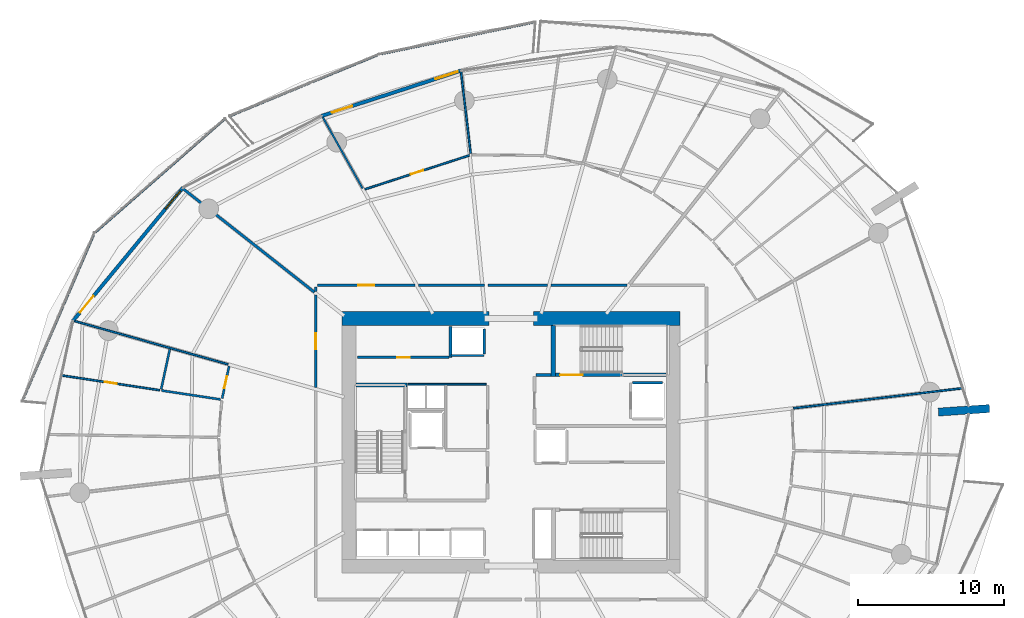
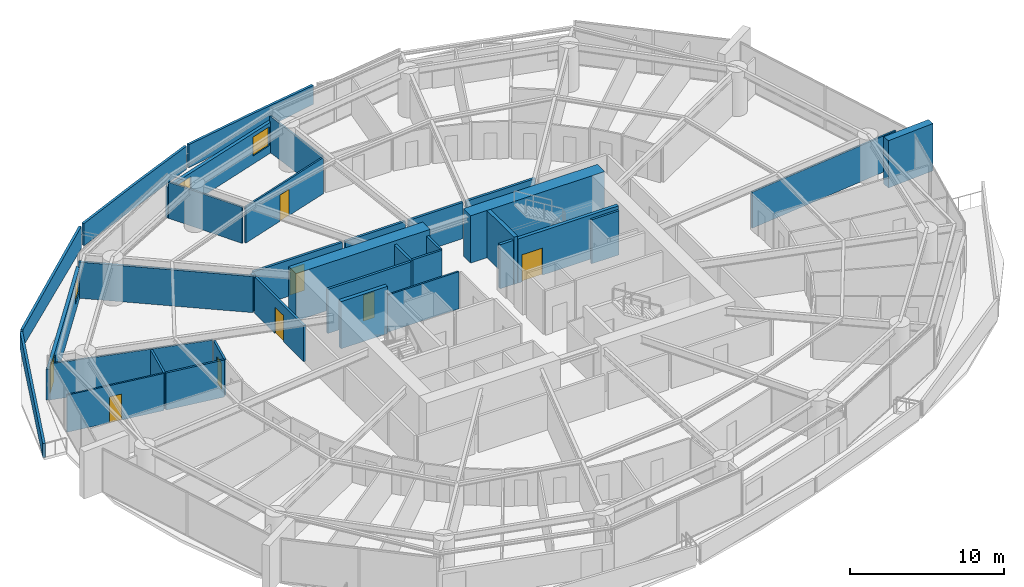
# One storey, part 21 of 30: 35 walls, 9 doors, 2 windows, 11 openings.
"""IFC4 building model written with IfcOpenShell, lengths in metres."""

from ifc_helpers import new_model, si_unit, direction, frame, frame_2d, origin, place, context, subcontext, project, spatial, polyline, rectangle, outline, extrude, material, layer, layer_set, type_object, element, fill, save


model = new_model("IFC4")

# Units and contexts
model_context = context("Model", 3, precision=1e-05, world=origin(), true_north=direction((0.0, 1.0)))
body_context = subcontext(model_context, "Body", "Model", "MODEL_VIEW")
ifc_project = project(units=[si_unit("LENGTHUNIT", "METRE"), si_unit("AREAUNIT", "SQUARE_METRE"), si_unit("VOLUMEUNIT", "CUBIC_METRE"), si_unit("PLANEANGLEUNIT", "RADIAN"), si_unit("MASSUNIT", "GRAM", prefix="KILO")], contexts=[model_context])

# Site, building, storey
site_placement = place(None, origin())
site = spatial("IfcSite", under=ifc_project, at=site_placement, CompositionType="ELEMENT")
building_placement = place(site_placement, origin())
building = spatial("IfcBuilding", under=site, at=building_placement, Name="Kazma Halo Residences", CompositionType="ELEMENT")
storey_placement = place(building_placement, frame((0.0, 0.0, 56.39990234375)))
storey = spatial("IfcBuildingStorey", under=building, at=storey_placement, Name="L13", CompositionType="ELEMENT", Elevation=56.39990234375)

# Walls
ifc_material_1 = material(Name="White Concrete C50/60 Balustrade", Category="concrete")
ifc_layer_1 = layer(ifc_material_1, 0.179931640625)
ifc_layer_set_1 = layer_set([ifc_layer_1], Name="White Concrete C50/60 Balustrade")
wall_type_1 = type_object("IfcWallType", Name="WL-BAL-WAVE-180", PredefinedType="PARAPET", material=ifc_layer_set_1)
wall_1_placement = place(storey_placement, frame((50.0888671875, 70.78955078125, 0.0), z_axis=(0.0, 0.0, 1.0), x_axis=(-0.979112078275, -0.203321268379, 0.0)))
element("IfcWall", 1, at=wall_1_placement, inside=storey, type_object=wall_type_1, Name="L13 white wave balustrade wall NNW.1", PredefinedType="PARAPET", context=body_context, shape_type="SweptSolid", body=[
    extrude(outline(polyline([(0.0, 0.0), (10.828369140625, 0.0), (10.82861328125, 1.83203125), (5.414306640625, 1.696044921875), (0.0, 1.4970703125), (0.0, 0.0)])), frame((0.0, 0.08984375, 0.0), z_axis=(0.0, -1.0, 0.0), x_axis=(1.0, 0.0, 0.0)), (0.0, 0.0, 1.0), 0.179931640625),
])
wall_2_placement = place(storey_placement, frame((39.258056640625, 68.517578125, 0.0), z_axis=(0.0, 0.0, 1.0), x_axis=(-0.924219630584, -0.381861328813, 0.0)))
element("IfcWall", 2, at=wall_2_placement, inside=storey, type_object=wall_type_1, Name="L13 white wave balustrade wall NNW.2", PredefinedType="PARAPET", context=body_context, shape_type="SweptSolid", body=[
    extrude(outline(polyline([(0.0, 0.0), (10.93408203125, 0.0), (10.93408203125, 1.756103515625), (5.467041015625, 1.85302734375), (0.0, 1.83203125), (0.0, 0.0)])), frame((0.0, 0.08984375, 0.0), z_axis=(0.0, -1.0, 0.0), x_axis=(1.0, 0.0, 0.0)), (0.0, 0.0, 1.0), 0.179931640625),
])
wall_3_placement = place(storey_placement, frame((28.837158203125, 64.1611328125, 0.0), z_axis=(0.0, 0.0, 1.0), x_axis=(-0.752310783683, -0.658808382426, 0.0)))
element("IfcWall", 3, at=wall_3_placement, inside=storey, type_object=wall_type_1, Name="L13 white wave balustrade wall NW.1", PredefinedType="PARAPET", context=body_context, shape_type="SweptSolid", body=[
    extrude(outline(polyline([(0.0, 0.0), (11.77587890625, 0.0), (11.77587890625, 1.34814453125), (5.887939453125, 1.56201171875), (0.0, 1.7470703125), (0.0, 0.0)])), frame((0.0, 0.08984375, 0.0), z_axis=(0.0, -1.0, 0.0), x_axis=(1.0, 0.0, 0.0)), (0.0, 0.0, 1.0), 0.179931640625),
])
wall_4_placement = place(storey_placement, frame((19.840576171875, 56.213623046875, 0.0), z_axis=(0.0, 0.0, 1.0), x_axis=(-0.393762615554, -0.919212164079, 0.0)))
element("IfcWall", 4, at=wall_4_placement, inside=storey, type_object=wall_type_1, Name="L13 white wave balustrade wall NW.2", PredefinedType="PARAPET", context=body_context, shape_type="SweptSolid", body=[
    extrude(outline(polyline([(0.0, 0.0), (12.412109375, 0.0), (12.412109375, 1.1201171875), (6.2060546875, 1.18212890625), (0.0, 1.34814453125), (0.0, 0.0)])), frame((0.0, 0.08984375, 0.0), z_axis=(0.0, -1.0, 0.0), x_axis=(1.0, 0.0, 0.0)), (0.0, 0.0, 1.0), 0.179931640625),
])
ifc_material_2 = material(Name="Pale Concrete C60/75", Category="concrete")
ifc_layer_2 = layer(ifc_material_2, 0.550048828125)
ifc_layer_set_2 = layer_set([ifc_layer_2], Name="Pale Concrete C60/75")
wall_type_2 = type_object("IfcWallType", Name="WL-BLADE-550", PredefinedType="SOLIDWALL", material=ifc_layer_set_2)
wall_5_placement = place(storey_placement, frame((77.677978515625, 44.0751953125, 0.0), z_axis=(0.0, 0.0, 1.0), x_axis=(0.997564163539, 0.069754853754, 0.0)))
element("IfcWall", 5, at=wall_5_placement, inside=storey, type_object=wall_type_2, Name="L13 pale concrete structural blade fin wall BW-04", PredefinedType="SOLIDWALL", context=body_context, shape_type="SweptSolid", body=[
    extrude(rectangle(XDim=3.5, YDim=0.550048828125, at=frame_2d((1.75, 0.0))), origin(), (0.0, 0.0, 1.0), 3.75),
])
ifc_material_3 = material(Name="Concrete C80/95", Category="concrete")
ifc_layer_3 = layer(ifc_material_3, 0.949951171875)
ifc_layer_set_3 = layer_set([ifc_layer_3], Name="Concrete C80/95")
wall_type_3 = type_object("IfcWallType", Name="WL-CORE-950", PredefinedType="SHEAR", material=ifc_layer_set_3)
wall_6_placement = place(storey_placement, frame((36.85009765625, 50.47509765625, 0.0), z_axis=(0.0, 0.0, 1.0), x_axis=(1.0, 0.0, 0.0)))
element("IfcWall", 6, at=wall_6_placement, inside=storey, type_object=wall_type_3, Name="L13 central core shear wall NW", PredefinedType="SHEAR", context=body_context, shape_type="SweptSolid", body=[
    extrude(rectangle(XDim=10.0498046875, YDim=0.949951171875, at=frame_2d((5.02490234375, 0.0))), origin(), (0.0, 0.0, 1.0), 3.75),
])
wall_7_placement = place(storey_placement, frame((49.949951171875, 50.47509765625, 0.0), z_axis=(0.0, 0.0, 1.0), x_axis=(1.0, 0.0, 0.0)))
element("IfcWall", 7, at=wall_7_placement, inside=storey, type_object=wall_type_3, Name="L13 central core shear wall NE", PredefinedType="SHEAR", context=body_context, shape_type="SweptSolid", body=[
    extrude(rectangle(XDim=10.050048828125, YDim=0.949951171875, at=frame_2d((5.02490234375, 0.0))), origin(), (0.0, 0.0, 1.0), 3.75),
])
ifc_material_4 = material(Name="Concrete C60/75", Category="concrete")
ifc_layer_4 = layer(ifc_material_4, 0.280029296875)
ifc_layer_set_4 = layer_set([ifc_layer_4], Name="Concrete C60/75")
wall_type_4 = type_object("IfcWallType", Name="WL-CORE-ST-280", PredefinedType="SHEAR", material=ifc_layer_set_4)
for number, where, z_axis, x_axis, name in (
    (8, (37.800048828125, 45.93994140625, 0.0), (0.0, 0.0, 1.0), (1.0, 0.0, 0.0), "L13 stairwell bearing wall ST01-N"),
    (9, (51.31005859375, 46.5, 0.0), (0.0, 0.0, 1.0), (0.0, 1.0, 0.0), "L13 stairwell bearing wall ST02-W"),
):
    element("IfcWall", number, at=place(storey_placement, frame(where, z_axis=z_axis, x_axis=x_axis)), inside=storey, type_object=wall_type_4, Name=name, PredefinedType="SHEAR", context=body_context, shape_type="SweptSolid", body=[
        extrude(rectangle(XDim=3.5, YDim=0.280029296875, at=frame_2d((1.75, 0.0))), origin(), (0.0, 0.0, 1.0), 3.75),
    ])
ifc_material_5 = material(Name="Acoustic Twin-Stud Gypsum")
ifc_layer_5 = layer(ifc_material_5, 0.179931640625)
ifc_layer_set_5 = layer_set([ifc_layer_5], Name="Acoustic Twin-Stud Gypsum")
wall_type_5 = type_object("IfcWallType", Name="WL-DEM-180", PredefinedType="PARTITIONING", material=ifc_layer_set_5)
wall_8_placement = place(storey_placement, frame((34.963623046875, 52.277099609375, 0.0), z_axis=(0.0, 0.0, 1.0), x_axis=(-0.785321098315, 0.619088662908, 0.0)))
element("IfcWall", 10, at=wall_8_placement, inside=storey, type_object=wall_type_5, Name="L13 apartment demising radial wall 05", PredefinedType="PARTITIONING", context=body_context, shape_type="SweptSolid", body=[
    extrude(rectangle(XDim=11.4716796875, YDim=0.179931640625, at=frame_2d((5.73583984375, 0.0))), origin(), (0.0, 0.0, 1.0), 2.8671875),
])

# Wall, opening, door
wall_9_placement = place(storey_placement, frame((41.859619140625, 52.75, 0.0), z_axis=(0.0, 0.0, 1.0), x_axis=(-1.0, 0.0, 0.0)))
wall_9 = element("IfcWall", 11, at=wall_9_placement, inside=storey, type_object=wall_type_5, Name="L13 Apartment 1 entrance corridor wall", PredefinedType="PARTITIONING", context=body_context, shape_type="SweptSolid", body=[
    extrude(rectangle(XDim=6.689697265625, YDim=0.179931640625, at=frame_2d((3.3447265625, 0.0))), origin(), (0.0, 0.0, 1.0), 2.8671875),
])
opening_1_placement = place(wall_9_placement, frame((2.794921875, 0.0, 0.0)))
opening_1 = element("IfcOpeningElement", 12, at=opening_1_placement, cuts=wall_9, Name="Opening DA-1100", PredefinedType="OPENING", context=body_context, shape_type="SweptSolid", body=[
    extrude(rectangle(XDim=1.10009765625, YDim=2.10009765625, at=frame_2d((0.550048828125, 1.050048828125))), frame((0.0, 0.099853515625, 0.0), z_axis=(0.0, -1.0, 0.0), x_axis=(1.0, 0.0, 0.0)), (0.0, 0.0, 1.0), 0.199951171875),
])
ifc_material_6 = material(Name="Acoustic Walnut Fire Leaf")
door_type_1 = type_object("IfcDoorType", Name="DR-FD60-1100", OperationType="NOTDEFINED", PredefinedType="DOOR", material=ifc_material_6)
door_1_placement = place(opening_1_placement, origin())
door_1 = element("IfcDoor", 13, at=door_1_placement, inside=storey, type_object=door_type_1, Name="L13 Apartment 1 entrance fire door", OperationType="SINGLE_SWING_LEFT", OverallHeight=2.10009765625, OverallWidth=1.10009765625, PredefinedType="DOOR", context=body_context, shape_type="SweptSolid", body=[
    extrude(rectangle(XDim=1.10009765625, YDim=2.10009765625, at=frame_2d((0.550048828125, 1.050048828125))), frame((0.0, 0.02490234375, 0.0), z_axis=(0.0, -1.0, 0.0), x_axis=(1.0, 0.0, 0.0)), (0.0, 0.0, 1.0), 0.050048828125),
])
fill(opening_1, door_1)

# Walls
wall_10_placement = place(storey_placement, frame((35.050048828125, 52.6298828125, 0.0), z_axis=(0.0, 0.0, 1.0), x_axis=(0.0, -1.0, 0.0)))
element("IfcWall", 14, at=wall_10_placement, inside=storey, type_object=wall_type_5, Name="L13 Apartment 1 entrance corridor wall", PredefinedType="PARTITIONING", context=body_context, shape_type="SweptSolid", body=[
    extrude(rectangle(XDim=0.30078125, YDim=0.179931640625, at=frame_2d((0.150390625, 0.0))), origin(), (0.0, 0.0, 1.0), 2.8671875),
])
wall_11_placement = place(storey_placement, frame((56.3544921875, 52.75, 0.0), z_axis=(0.0, 0.0, 1.0), x_axis=(-1.0, 0.0, 0.0)))
element("IfcWall", 15, at=wall_11_placement, inside=storey, type_object=wall_type_5, Name="L13 Apartment 1 inner wall 1", PredefinedType="PARTITIONING", context=body_context, shape_type="SweptSolid", body=[
    extrude(rectangle(XDim=5.20263671875, YDim=0.179931640625, at=frame_2d((2.601318359375, 0.0))), origin(), (0.0, 0.0, 1.0), 2.8671875),
])
wall_12_placement = place(storey_placement, frame((50.911865234375, 52.75, 0.0), z_axis=(0.0, 0.0, 1.0), x_axis=(-1.0, 0.0, 0.0)))
element("IfcWall", 16, at=wall_12_placement, inside=storey, type_object=wall_type_5, Name="L13 Apartment 1 inner wall 2", PredefinedType="PARTITIONING", context=body_context, shape_type="SweptSolid", body=[
    extrude(rectangle(XDim=4.064208984375, YDim=0.179931640625, at=frame_2d((2.0322265625, 0.0))), origin(), (0.0, 0.0, 1.0), 2.8671875),
])
wall_13_placement = place(storey_placement, frame((46.607666015625, 52.75, 0.0), z_axis=(0.0, 0.0, 1.0), x_axis=(-1.0, 0.0, 0.0)))
element("IfcWall", 17, at=wall_13_placement, inside=storey, type_object=wall_type_5, Name="L13 Apartment 1 inner wall 3", PredefinedType="PARTITIONING", context=body_context, shape_type="SweptSolid", body=[
    extrude(rectangle(XDim=4.508056640625, YDim=0.179931640625, at=frame_2d((2.25390625, 0.0))), origin(), (0.0, 0.0, 1.0), 2.8671875),
])

# Wall, opening, door
wall_14_placement = place(storey_placement, frame((35.050048828125, 52.089111328125, 0.0), z_axis=(0.0, 0.0, 1.0), x_axis=(0.0, -1.0, 0.0)))
wall_14 = element("IfcWall", 18, at=wall_14_placement, inside=storey, type_object=wall_type_5, Name="L13 Apartment 2 entrance corridor wall", PredefinedType="PARTITIONING", context=body_context, shape_type="SweptSolid", body=[
    extrude(rectangle(XDim=6.31689453125, YDim=0.179931640625, at=frame_2d((3.158447265625, 0.0))), origin(), (0.0, 0.0, 1.0), 2.8671875),
])
opening_2_placement = place(wall_14_placement, frame((2.6083984375, 0.0, 0.0)))
opening_2 = element("IfcOpeningElement", 19, at=opening_2_placement, cuts=wall_14, Name="Opening DA-1100", PredefinedType="OPENING", context=body_context, shape_type="SweptSolid", body=[
    extrude(rectangle(XDim=1.10009765625, YDim=2.10009765625, at=frame_2d((0.550048828125, 1.050048828125))), frame((0.0, 0.099853515625, 0.0), z_axis=(0.0, -1.0, 0.0), x_axis=(1.0, 0.0, 0.0)), (0.0, 0.0, 1.0), 0.199951171875),
])
door_2_placement = place(opening_2_placement, origin())
door_2 = element("IfcDoor", 20, at=door_2_placement, inside=storey, type_object=door_type_1, Name="L13 Apartment 2 entrance fire door", OperationType="SINGLE_SWING_RIGHT", OverallHeight=2.10009765625, OverallWidth=1.10009765625, PredefinedType="DOOR", context=body_context, shape_type="SweptSolid", body=[
    extrude(rectangle(XDim=1.10009765625, YDim=2.10009765625, at=frame_2d((0.550048828125, 1.050048828125))), frame((0.0, 0.02490234375, 0.0), z_axis=(0.0, -1.0, 0.0), x_axis=(1.0, 0.0, 0.0)), (0.0, 0.0, 1.0), 0.050048828125),
])
fill(opening_2, door_2)

# Wall, openings, door, window
ifc_material_7 = material(Name="Insulated Pale-Metal Composite Wall")
ifc_layer_6 = layer(ifc_material_7, 0.239990234375)
ifc_layer_set_6 = layer_set([ifc_layer_6], Name="Insulated Pale-Metal Composite Wall")
wall_type_6 = type_object("IfcWallType", Name="WL-EXT-HOST-240", PredefinedType="SOLIDWALL", material=ifc_layer_set_6)
wall_15_placement = place(storey_placement, frame((45.0361328125, 67.45849609375, 0.0), z_axis=(0.0, 0.0, 1.0), x_axis=(-0.951054679225, -0.309022648238, 0.0)))
wall_15 = element("IfcWall", 21, at=wall_15_placement, inside=storey, type_object=wall_type_6, Name="L13 exterior terrace-access wall B04", PredefinedType="SOLIDWALL", context=body_context, shape_type="SweptSolid", body=[
    extrude(rectangle(XDim=10.0966796875, YDim=0.239990234375, at=frame_2d((5.04833984375, 0.0))), origin(), (0.0, 0.0, 1.0), 2.4501953125),
])
opening_3_placement = place(wall_15_placement, frame((7.876708984375, 0.0, 0.0)))
opening_3 = element("IfcOpeningElement", 22, at=opening_3_placement, cuts=wall_15, Name="Opening DTR-1600", PredefinedType="OPENING", context=body_context, shape_type="SweptSolid", body=[
    extrude(rectangle(XDim=1.449951171875, YDim=2.14990234375, at=frame_2d((0.72509765625, 1.074951171875))), frame((0.0, 0.1298828125, 0.0), z_axis=(0.0, -1.0, 0.0), x_axis=(1.0, 0.0, 0.0)), (0.0, 0.0, 1.0), 0.260009765625),
])
opening_4_placement = place(wall_15_placement, frame((0.280029296875, 0.0, 0.64990234375)))
opening_4 = element("IfcOpeningElement", 23, at=opening_4_placement, cuts=wall_15, Name="Opening W-1800", PredefinedType="OPENING", context=body_context, shape_type="SweptSolid", body=[
    extrude(rectangle(XDim=1.60009765625, YDim=1.5, at=frame_2d((0.800048828125, 0.75))), frame((0.0, 0.1298828125, 0.0), z_axis=(0.0, -1.0, 0.0), x_axis=(1.0, 0.0, 0.0)), (0.0, 0.0, 1.0), 0.260009765625),
])
ifc_material_8 = material(Name="Aluminium AW-6063 T6 Double-Glazed Terrace Door", Category="aluminium")
door_type_2 = type_object("IfcDoorType", Name="DR-EXT-TERR-1600", OperationType="NOTDEFINED", PredefinedType="DOOR", material=ifc_material_8)
door_3_placement = place(opening_3_placement, origin())
door_3 = element("IfcDoor", 24, at=door_3_placement, inside=storey, type_object=door_type_2, Name="L13 B04 balcony terrace door", OperationType="DOUBLE_DOOR_SLIDING", OverallHeight=2.14990234375, OverallWidth=1.449951171875, PredefinedType="DOOR", context=body_context, shape_type="SweptSolid", body=[
    extrude(rectangle(XDim=1.449951171875, YDim=2.14990234375, at=frame_2d((0.72509765625, 1.074951171875))), frame((0.0, 0.02490234375, 0.0), z_axis=(0.0, -1.0, 0.0), x_axis=(1.0, 0.0, 0.0)), (0.0, 0.0, 1.0), 0.050048828125),
])
fill(opening_3, door_3)
ifc_material_9 = material(Name="Clear Triple-Silver Low-E Glass in Aluminium AW-6063 T6 Frame", Category="aluminium")
window_type = type_object("IfcWindowType", Name="WIN-RES-1800", PartitioningType="DOUBLE_PANEL_VERTICAL", PredefinedType="WINDOW", material=ifc_material_9)
window_1_placement = place(opening_4_placement, origin())
window_1 = element("IfcWindow", 25, at=window_1_placement, inside=storey, type_object=window_type, Name="L13 B04 apartment window", OverallHeight=1.5, OverallWidth=1.60009765625, PartitioningType="SINGLE_PANEL", PredefinedType="WINDOW", context=body_context, shape_type="SweptSolid", body=[
    extrude(rectangle(XDim=1.60009765625, YDim=1.5, at=frame_2d((0.800048828125, 0.75))), frame((0.0, 0.030029296875, 0.0), z_axis=(0.0, -1.0, 0.0), x_axis=(1.0, 0.0, 0.0)), (0.0, 0.0, 1.0), 0.06005859375),
])
fill(opening_4, window_1)

wall_16_placement = place(storey_placement, frame((25.966796875, 59.433349609375, 0.0), z_axis=(0.0, 0.0, 1.0), x_axis=(-0.636674332663, -0.771132799281, 0.0)))
wall_16 = element("IfcWall", 26, at=wall_16_placement, inside=storey, type_object=wall_type_6, Name="L13 exterior terrace-access wall B06", PredefinedType="SOLIDWALL", context=body_context, shape_type="SweptSolid", body=[
    extrude(rectangle(XDim=11.851318359375, YDim=0.239990234375, at=frame_2d((5.92578125, 0.0))), origin(), (0.0, 0.0, 1.0), 2.4501953125),
])
opening_5_placement = place(wall_16_placement, frame((9.631103515625, 0.0, 0.0)))
opening_5 = element("IfcOpeningElement", 27, at=opening_5_placement, cuts=wall_16, Name="Opening DTR-1600", PredefinedType="OPENING", context=body_context, shape_type="SweptSolid", body=[
    extrude(rectangle(XDim=1.449951171875, YDim=2.14990234375, at=frame_2d((0.72509765625, 1.074951171875))), frame((0.0, 0.1298828125, 0.0), z_axis=(0.0, -1.0, 0.0), x_axis=(1.0, 0.0, 0.0)), (0.0, 0.0, 1.0), 0.260009765625),
])
opening_6_placement = place(wall_16_placement, frame((0.280029296875, 0.0, 0.64990234375)))
opening_6 = element("IfcOpeningElement", 28, at=opening_6_placement, cuts=wall_16, Name="Opening W-1800", PredefinedType="OPENING", context=body_context, shape_type="SweptSolid", body=[
    extrude(rectangle(XDim=1.60009765625, YDim=1.5, at=frame_2d((0.800048828125, 0.75))), frame((0.0, 0.1298828125, 0.0), z_axis=(0.0, -1.0, 0.0), x_axis=(1.0, 0.0, 0.0)), (0.0, 0.0, 1.0), 0.260009765625),
])
door_4_placement = place(opening_5_placement, origin())
door_4 = element("IfcDoor", 29, at=door_4_placement, inside=storey, type_object=door_type_2, Name="L13 B06 balcony terrace door", OperationType="DOUBLE_DOOR_SLIDING", OverallHeight=2.14990234375, OverallWidth=1.449951171875, PredefinedType="DOOR", context=body_context, shape_type="SweptSolid", body=[
    extrude(rectangle(XDim=1.449951171875, YDim=2.14990234375, at=frame_2d((0.72509765625, 1.074951171875))), frame((0.0, 0.02490234375, 0.0), z_axis=(0.0, -1.0, 0.0), x_axis=(1.0, 0.0, 0.0)), (0.0, 0.0, 1.0), 0.050048828125),
])
fill(opening_5, door_4)
window_2_placement = place(opening_6_placement, origin())
window_2 = element("IfcWindow", 30, at=window_2_placement, inside=storey, type_object=window_type, Name="L13 B06 apartment window", OverallHeight=1.5, OverallWidth=1.60009765625, PartitioningType="SINGLE_PANEL", PredefinedType="WINDOW", context=body_context, shape_type="SweptSolid", body=[
    extrude(rectangle(XDim=1.60009765625, YDim=1.5, at=frame_2d((0.800048828125, 0.75))), frame((0.0, 0.030029296875, 0.0), z_axis=(0.0, -1.0, 0.0), x_axis=(1.0, 0.0, 0.0)), (0.0, 0.0, 1.0), 0.06005859375),
])
fill(opening_6, window_2)

# Walls
ifc_material_10 = material(Name="Fire-Rated Blockwork Masonry", Category="masonry")
ifc_layer_7 = layer(ifc_material_10, 0.199951171875)
ifc_layer_set_7 = layer_set([ifc_layer_7], Name="Fire-Rated Blockwork Masonry")
wall_type_7 = type_object("IfcWallType", Name="WL-FLB-200", PredefinedType="PARTITIONING", material=ifc_layer_set_7)
wall_17_placement = place(storey_placement, frame((46.580078125, 47.945068359375, 0.0), z_axis=(0.0, 0.0, 1.0), x_axis=(-1.0, 0.0, 0.0)))
element("IfcWall", 31, at=wall_17_placement, inside=storey, type_object=wall_type_7, Name="L13 lift shaft PX-01 front wall", PredefinedType="PARTITIONING", context=body_context, shape_type="SweptSolid", body=[
    extrude(rectangle(XDim=2.260009765625, YDim=0.159912109375, at=frame_2d((1.1298828125, 0.0))), origin(), (0.0, 0.0, 1.0), 3.5),
])
wall_18_placement = place(storey_placement, frame((46.580078125, 48.044921875, 0.0), z_axis=(0.0, 0.0, 1.0), x_axis=(0.0, 1.0, 0.0)))
element("IfcWall", 32, at=wall_18_placement, inside=storey, type_object=wall_type_7, Name="L13 lift shaft PX-01 side wall E", PredefinedType="PARTITIONING", context=body_context, shape_type="SweptSolid", body=[
    extrude(rectangle(XDim=1.7099609375, YDim=0.159912109375, at=frame_2d((0.85498046875, 0.0))), origin(), (0.0, 0.0, 1.0), 3.5),
])
wall_19_placement = place(storey_placement, frame((56.719970703125, 46.080078125, 0.0), z_axis=(0.0, 0.0, 1.0), x_axis=(1.0, 0.0, 0.0)))
element("IfcWall", 33, at=wall_19_placement, inside=storey, type_object=wall_type_7, Name="L13 lift shaft FL-02 side wall N", PredefinedType="PARTITIONING", context=body_context, shape_type="SweptSolid", body=[
    extrude(rectangle(XDim=2.06005859375, YDim=0.159912109375, at=frame_2d((1.030029296875, 0.0))), origin(), (0.0, 0.0, 1.0), 3.5),
])

# Wall, opening, door
wall_20_placement = place(storey_placement, frame((37.919921875, 47.820068359375, 0.0), z_axis=(0.0, 0.0, 1.0), x_axis=(1.0, 0.0, 0.0)))
wall_20 = element("IfcWall", 34, at=wall_20_placement, inside=storey, type_object=wall_type_7, Name="L13 core north reserve wall", PredefinedType="PARTITIONING", context=body_context, shape_type="SweptSolid", body=[
    extrude(rectangle(XDim=6.260009765625, YDim=0.179931640625, at=frame_2d((3.1298828125, 0.0))), origin(), (0.0, 0.0, 1.0), 3.5),
])
opening_7_placement = place(wall_20_placement, frame((2.705078125, 0.0, 0.0)))
opening_7 = element("IfcOpeningElement", 35, at=opening_7_placement, cuts=wall_20, Name="Opening DS-850", PredefinedType="OPENING", context=body_context, shape_type="SweptSolid", body=[
    extrude(rectangle(XDim=0.85009765625, YDim=2.06005859375, at=frame_2d((0.425048828125, 1.030029296875))), frame((0.0, 0.099853515625, 0.0), z_axis=(0.0, -1.0, 0.0), x_axis=(1.0, 0.0, 0.0)), (0.0, 0.0, 1.0), 0.199951171875),
])
ifc_material_11 = material(Name="Painted Steel Access Leaf", Category="steel")
door_type_3 = type_object("IfcDoorType", Name="DR-SVC-850", OperationType="NOTDEFINED", PredefinedType="DOOR", material=ifc_material_11)
door_5_placement = place(opening_7_placement, origin())
door_5 = element("IfcDoor", 36, at=door_5_placement, inside=storey, type_object=door_type_3, Name="L13 core north reserve door", OperationType="SINGLE_SWING_LEFT", OverallHeight=2.06005859375, OverallWidth=0.85009765625, PredefinedType="DOOR", context=body_context, shape_type="SweptSolid", body=[
    extrude(rectangle(XDim=0.85009765625, YDim=2.06005859375, at=frame_2d((0.425048828125, 1.030029296875))), frame((0.0, 0.02490234375, 0.0), z_axis=(0.0, -1.0, 0.0), x_axis=(1.0, 0.0, 0.0)), (0.0, 0.0, 1.0), 0.050048828125),
])
fill(opening_7, door_5)

# Walls
wall_21_placement = place(storey_placement, frame((44.280029296875, 47.820068359375, 0.0), z_axis=(0.0, 0.0, 1.0), x_axis=(0.0, 1.0, 0.0)))
element("IfcWall", 37, at=wall_21_placement, inside=storey, type_object=wall_type_7, Name="L13 PX-01 hoistway west wall", PredefinedType="PARTITIONING", context=body_context, shape_type="SweptSolid", body=[
    extrude(rectangle(XDim=2.1298828125, YDim=0.179931640625, at=frame_2d((1.06494140625, 0.0))), origin(), (0.0, 0.0, 1.0), 3.5),
])
wall_22_placement = place(storey_placement, frame((50.139892578125, 46.6201171875, 0.0), z_axis=(0.0, 0.0, 1.0), x_axis=(1.0, 0.0, 0.0)))
element("IfcWall", 38, at=wall_22_placement, inside=storey, type_object=wall_type_7, Name="L13 east firefighting lobby north closure wall", PredefinedType="PARTITIONING", context=body_context, shape_type="SweptSolid", body=[
    extrude(rectangle(XDim=1.02001953125, YDim=0.199951171875, at=frame_2d((0.510009765625, 0.0))), origin(), (0.0, 0.0, 1.0), 3.5),
])
ifc_material_12 = material(Name="Gypsum Plasterboard Partition")
ifc_layer_8 = layer(ifc_material_12, 0.125)
ifc_layer_set_8 = layer_set([ifc_layer_8], Name="Gypsum Plasterboard Partition")
wall_type_8 = type_object("IfcWallType", Name="WL-PART-125", PredefinedType="PARTITIONING", material=ifc_layer_set_8)
wall_23_placement = place(storey_placement, frame((41.360107421875, 45.97998046875, 0.0), z_axis=(0.0, 0.0, 1.0), x_axis=(1.0, 0.0, 0.0)))
element("IfcWall", 39, at=wall_23_placement, inside=storey, type_object=wall_type_8, Name="L13 core north riser wall", PredefinedType="PARTITIONING", context=body_context, shape_type="SweptSolid", body=[
    extrude(rectangle(XDim=5.35986328125, YDim=0.125, at=frame_2d((2.679931640625, 0.0))), origin(), (0.0, 0.0, 1.0), 2.940185546875),
])
wall_24_placement = place(storey_placement, frame((45.65869140625, 61.781982421875, 0.0), z_axis=(0.0, 0.0, 1.0), x_axis=(-0.117520082425, 0.993070506171, 0.0)))
element("IfcWall", 40, at=wall_24_placement, inside=storey, type_object=wall_type_8, Name="L13 Apartment 1 radial partition 3", PredefinedType="PARTITIONING", context=body_context, shape_type="SweptSolid", body=[
    extrude(rectangle(XDim=5.675537109375, YDim=0.125, at=frame_2d((2.837890625, 0.0))), origin(), (0.0, 0.0, 1.0), 2.8671875),
])
wall_25_placement = place(storey_placement, frame((38.2666015625, 59.380126953125, 0.0), z_axis=(0.0, 0.0, 1.0), x_axis=(-0.488618035608, 0.872497802449, 0.0)))
element("IfcWall", 41, at=wall_25_placement, inside=storey, type_object=wall_type_8, Name="L13 Apartment 1 living radial partition 3", PredefinedType="PARTITIONING", context=body_context, shape_type="SweptSolid", body=[
    extrude(rectangle(XDim=5.57568359375, YDim=0.125, at=frame_2d((2.787841796875, 0.0))), origin(), (0.0, 0.0, 1.0), 2.8671875),
])

# Wall, opening, door
wall_26_placement = place(storey_placement, frame((45.56591796875, 61.648681640625, 0.0), z_axis=(0.0, 0.0, 1.0), x_axis=(-0.951057228592, -0.309014802142, 0.0)))
wall_26 = element("IfcWall", 42, at=wall_26_placement, inside=storey, type_object=wall_type_8, Name="L13 Apartment 1 East Formal Dining Room gallery wall", PredefinedType="PARTITIONING", context=body_context, shape_type="SweptSolid", body=[
    extrude(rectangle(XDim=7.513427734375, YDim=0.125, at=frame_2d((3.7568359375, 0.0))), origin(), (0.0, 0.0, 1.0), 2.8671875),
])
opening_8_placement = place(wall_26_placement, frame((3.306640625, 0.0, 0.0)))
opening_8 = element("IfcOpeningElement", 43, at=opening_8_placement, cuts=wall_26, Name="Opening DI-950", PredefinedType="OPENING", context=body_context, shape_type="SweptSolid", body=[
    extrude(rectangle(XDim=0.89990234375, YDim=2.080078125, at=frame_2d((0.449951171875, 1.0400390625))), frame((0.0, 0.072509765625, 0.0), z_axis=(0.0, -1.0, 0.0), x_axis=(1.0, 0.0, 0.0)), (0.0, 0.0, 1.0), 0.14501953125),
])
ifc_material_13 = material(Name="Timber Veneer Flush Leaf", Category="wood")
door_type_4 = type_object("IfcDoorType", Name="DR-INT-950", OperationType="NOTDEFINED", PredefinedType="DOOR", material=ifc_material_13)
door_6_placement = place(opening_8_placement, origin())
door_6 = element("IfcDoor", 44, at=door_6_placement, inside=storey, type_object=door_type_4, Name="L13 Apartment 1 East Formal Dining Room door", OperationType="SINGLE_SWING_LEFT", OverallHeight=2.080078125, OverallWidth=0.89990234375, PredefinedType="DOOR", context=body_context, shape_type="SweptSolid", body=[
    extrude(rectangle(XDim=0.89990234375, YDim=2.080078125, at=frame_2d((0.449951171875, 1.0400390625))), frame((0.0, 0.02490234375, 0.0), z_axis=(0.0, -1.0, 0.0), x_axis=(1.0, 0.0, 0.0)), (0.0, 0.0, 1.0), 0.050048828125),
])
fill(opening_8, door_6)

# Wall
wall_27_placement = place(storey_placement, frame((29.04931640625, 47.344482421875, 0.0), z_axis=(0.0, 0.0, 1.0), x_axis=(-0.962452831434, 0.271448977278, 0.0)))
element("IfcWall", 45, at=wall_27_placement, inside=storey, type_object=wall_type_8, Name="L13 Apartment 2 radial partition 6", PredefinedType="PARTITIONING", context=body_context, shape_type="SweptSolid", body=[
    extrude(rectangle(XDim=10.884521484375, YDim=0.125, at=frame_2d((5.4423828125, 0.0))), origin(), (0.0, 0.0, 1.0), 2.8671875),
])

# Wall, opening, door
wall_28_placement = place(storey_placement, frame((24.368408203125, 45.57177734375, 0.0), z_axis=(0.0, 0.0, 1.0), x_axis=(-0.988769342127, 0.149449617164, 0.0)))
wall_28 = element("IfcWall", 46, at=wall_28_placement, inside=storey, type_object=wall_type_8, Name="L13 Apartment 2 Household Store Room partition wall", PredefinedType="PARTITIONING", context=body_context, shape_type="SweptSolid", body=[
    extrude(rectangle(XDim=6.76953125, YDim=0.125, at=frame_2d((3.384765625, 0.0))), origin(), (0.0, 0.0, 1.0), 2.940185546875),
])
opening_9_placement = place(wall_28_placement, frame((2.959716796875, 0.0, 0.0)))
opening_9 = element("IfcOpeningElement", 47, at=opening_9_placement, cuts=wall_28, Name="Opening DB-900", PredefinedType="OPENING", context=body_context, shape_type="SweptSolid", body=[
    extrude(rectangle(XDim=0.85009765625, YDim=2.06005859375, at=frame_2d((0.425048828125, 1.030029296875))), frame((0.0, 0.072509765625, 0.0), z_axis=(0.0, -1.0, 0.0), x_axis=(1.0, 0.0, 0.0)), (0.0, 0.0, 1.0), 0.14501953125),
])
ifc_material_14 = material(Name="Moisture-Sealed Timber Leaf", Category="wood")
door_type_5 = type_object("IfcDoorType", Name="DR-BTH-900", OperationType="NOTDEFINED", PredefinedType="DOOR", material=ifc_material_14)
door_7_placement = place(opening_9_placement, origin())
door_7 = element("IfcDoor", 48, at=door_7_placement, inside=storey, type_object=door_type_5, Name="L13 Apartment 2 Household Store Room door", OperationType="SINGLE_SWING_LEFT", OverallHeight=2.06005859375, OverallWidth=0.85009765625, PredefinedType="DOOR", context=body_context, shape_type="SweptSolid", body=[
    extrude(rectangle(XDim=0.85009765625, YDim=2.06005859375, at=frame_2d((0.425048828125, 1.030029296875))), frame((0.0, 0.02490234375, 0.0), z_axis=(0.0, -1.0, 0.0), x_axis=(1.0, 0.0, 0.0)), (0.0, 0.0, 1.0), 0.050048828125),
])
fill(opening_9, door_7)

# Wall
wall_29_placement = place(storey_placement, frame((67.755126953125, 44.338134765625, 0.0), z_axis=(0.0, 0.0, 1.0), x_axis=(0.993067500076, 0.117545481801, 0.0)))
element("IfcWall", 49, at=wall_29_placement, inside=storey, type_object=wall_type_8, Name="L13 Apartment 4 living radial partition 14", PredefinedType="PARTITIONING", context=body_context, shape_type="SweptSolid", body=[
    extrude(rectangle(XDim=11.645751953125, YDim=0.125, at=frame_2d((5.82275390625, 0.0))), origin(), (0.0, 0.0, 1.0), 2.8671875),
])

# Wall, opening, door
ifc_material_15 = material(Name="Concrete C50/60", Category="concrete")
ifc_layer_9 = layer(ifc_material_15, 0.25)
ifc_layer_set_9 = layer_set([ifc_layer_9], Name="Concrete C50/60")
wall_type_9 = type_object("IfcWallType", Name="WL-SHF-250", PredefinedType="SOLIDWALL", material=ifc_layer_set_9)
wall_30_placement = place(storey_placement, frame((51.47998046875, 46.6201171875, 0.0), z_axis=(0.0, 0.0, 1.0), x_axis=(1.0, 0.0, 0.0)))
wall_30 = element("IfcWall", 50, at=wall_30_placement, inside=storey, type_object=wall_type_9, Name="L13 exit stair ST-02 enclosure wall", PredefinedType="SOLIDWALL", context=body_context, shape_type="SweptSolid", body=[
    extrude(rectangle(XDim=7.5400390625, YDim=0.25, at=frame_2d((3.77001953125, 0.0))), origin(), (0.0, 0.0, 1.0), 3.5),
])
opening_10_placement = place(wall_30_placement, frame((0.300048828125, 0.0, 0.0)))
opening_10 = element("IfcOpeningElement", 51, at=opening_10_placement, cuts=wall_30, Name="Opening D-ST2", PredefinedType="OPENING", context=body_context, shape_type="SweptSolid", body=[
    extrude(rectangle(XDim=1.550048828125, YDim=2.14990234375, at=frame_2d((0.77490234375, 1.074951171875))), frame((0.0, 0.135009765625, 0.0), z_axis=(0.0, -1.0, 0.0), x_axis=(1.0, 0.0, 0.0)), (0.0, 0.0, 1.0), 0.27001953125),
])
ifc_material_16 = material(Name="Fire-Rated Double Steel Leaf", Category="steel")
door_type_6 = type_object("IfcDoorType", Name="DR-FD90-1550", OperationType="NOTDEFINED", PredefinedType="DOOR", material=ifc_material_16)
door_8_placement = place(opening_10_placement, origin())
door_8 = element("IfcDoor", 52, at=door_8_placement, inside=storey, type_object=door_type_6, Name="L13 exit stair ST-02 fire door", OperationType="DOUBLE_DOOR_SINGLE_SWING", OverallHeight=2.14990234375, OverallWidth=1.550048828125, PredefinedType="DOOR", context=body_context, shape_type="SweptSolid", body=[
    extrude(rectangle(XDim=1.550048828125, YDim=2.14990234375, at=frame_2d((0.77490234375, 1.074951171875))), frame((0.0, 0.02490234375, 0.0), z_axis=(0.0, -1.0, 0.0), x_axis=(1.0, 0.0, 0.0)), (0.0, 0.0, 1.0), 0.050048828125),
])
fill(opening_10, door_8)

ifc_material_17 = material(Name="Moisture-Resistant Gypsum")
ifc_layer_10 = layer(ifc_material_17, 0.14990234375)
ifc_layer_set_10 = layer_set([ifc_layer_10], Name="Moisture-Resistant Gypsum")
wall_type_10 = type_object("IfcWallType", Name="WL-WET-150", PredefinedType="PARTITIONING", material=ifc_layer_set_10)
wall_31_placement = place(storey_placement, frame((29.12451171875, 47.2197265625, 0.0), z_axis=(0.0, 0.0, 1.0), x_axis=(-0.210919017848, -0.977503538567, 0.0)))
wall_31 = element("IfcWall", 53, at=wall_31_placement, inside=storey, type_object=wall_type_10, Name="L13 Apartment 2 Guest Bathroom hall wall", PredefinedType="PARTITIONING", context=body_context, shape_type="SweptSolid", body=[
    extrude(rectangle(XDim=2.2548828125, YDim=0.14990234375, at=frame_2d((1.12744140625, 0.0))), origin(), (0.0, 0.0, 1.0), 2.8671875),
])
opening_11_placement = place(wall_31_placement, frame((0.702392578125, 0.0, 0.0)))
opening_11 = element("IfcOpeningElement", 54, at=opening_11_placement, cuts=wall_31, Name="Opening DB-900", PredefinedType="OPENING", context=body_context, shape_type="SweptSolid", body=[
    extrude(rectangle(XDim=0.85009765625, YDim=2.06005859375, at=frame_2d((0.425048828125, 1.030029296875))), frame((0.0, 0.0849609375, 0.0), z_axis=(0.0, -1.0, 0.0), x_axis=(1.0, 0.0, 0.0)), (0.0, 0.0, 1.0), 0.169921875),
])
door_9_placement = place(opening_11_placement, origin())
door_9 = element("IfcDoor", 55, at=door_9_placement, inside=storey, type_object=door_type_5, Name="L13 Apartment 2 Guest Bathroom door", OperationType="SINGLE_SWING_RIGHT", OverallHeight=2.06005859375, OverallWidth=0.85009765625, PredefinedType="DOOR", context=body_context, shape_type="SweptSolid", body=[
    extrude(rectangle(XDim=0.85009765625, YDim=2.06005859375, at=frame_2d((0.425048828125, 1.030029296875))), frame((0.0, 0.02490234375, 0.0), z_axis=(0.0, -1.0, 0.0), x_axis=(1.0, 0.0, 0.0)), (0.0, 0.0, 1.0), 0.050048828125),
])
fill(opening_11, door_9)

# Walls
wall_32_placement = place(storey_placement, frame((25.062744140625, 48.365234375, 0.0), z_axis=(0.0, 0.0, 1.0), x_axis=(-0.210847740245, -0.97751891564, 0.0)))
element("IfcWall", 56, at=wall_32_placement, inside=storey, type_object=wall_type_10, Name="L13 Apartment 2 Guest Bathroom back wall", PredefinedType="PARTITIONING", context=body_context, shape_type="SweptSolid", body=[
    extrude(rectangle(XDim=2.78125, YDim=0.14990234375, at=frame_2d((1.390625, 0.0))), origin(), (0.0, 0.0, 1.0), 2.8671875),
])
wall_33_placement = place(storey_placement, frame((28.541015625, 44.941162109375, 0.0), z_axis=(0.0, 0.0, 1.0), x_axis=(-0.988765818212, 0.149472929776, 0.0)))
element("IfcWall", 57, at=wall_33_placement, inside=storey, type_object=wall_type_10, Name="L13 Apartment 2 Guest Bathroom side wall", PredefinedType="PARTITIONING", context=body_context, shape_type="SweptSolid", body=[
    extrude(rectangle(XDim=4.08984375, YDim=0.14990234375, at=frame_2d((2.044921875, 0.0))), origin(), (0.0, 0.0, 1.0), 2.940185546875),
])

save(model, "model.ifc")
